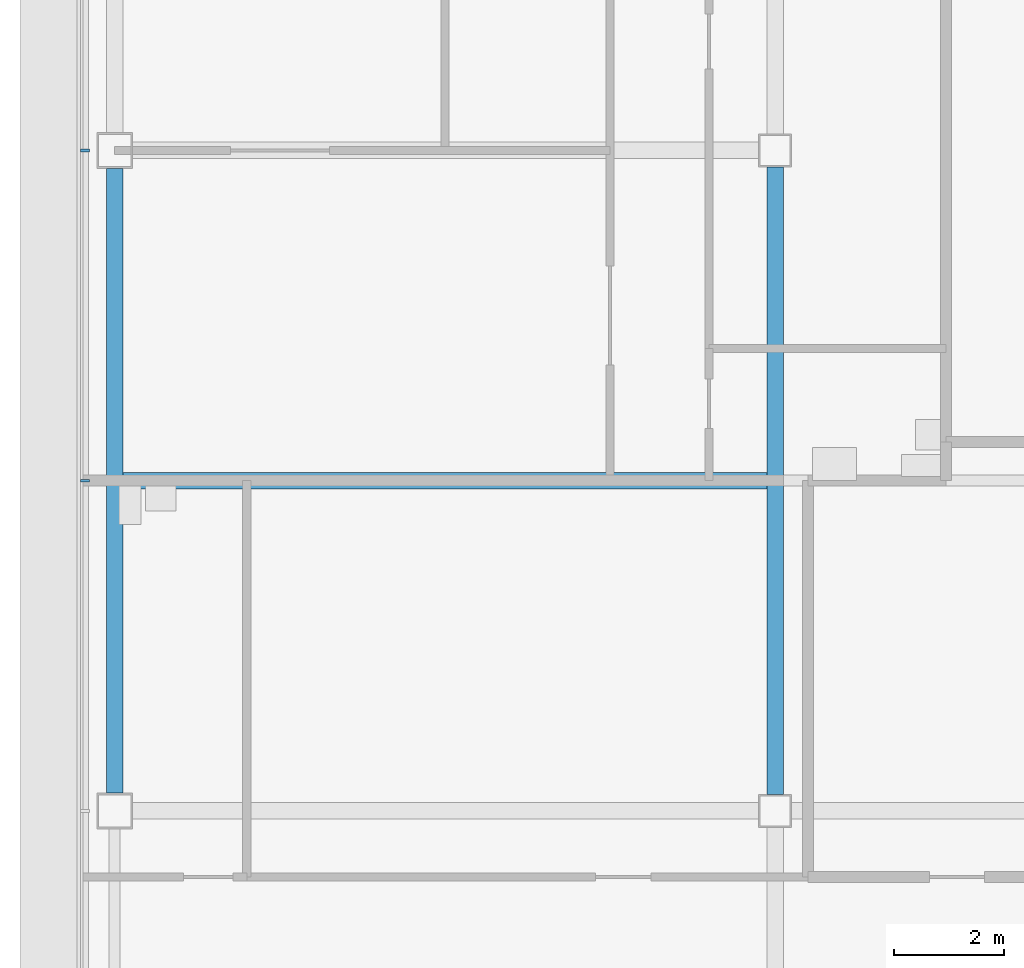
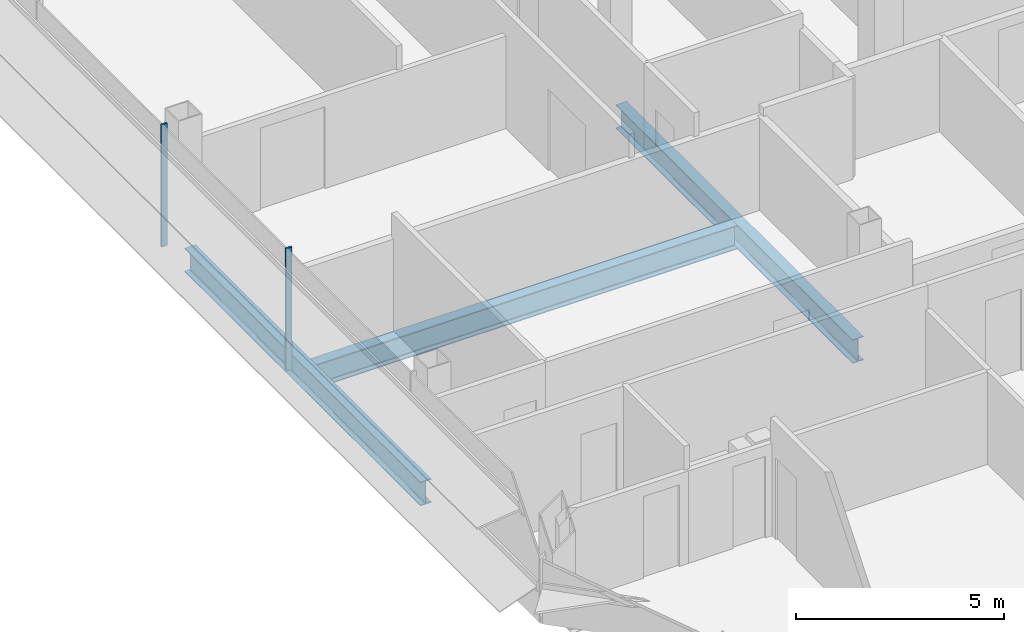
# One storey, part 4 of 26: 3 beams, 2 members, 1 element without a shape of its own.
"""IFC4 building model written with IfcOpenShell, lengths in metres."""

from ifc_helpers import new_model, si_unit, direction, frame, origin, origin_2d, place, context, subcontext, project, spatial, rectangle, i_section, extrude, material, material_profile, profile_set, type_object, element, aggregate, save


model = new_model("IFC4")

# Units and contexts
model_context = context("Model", 3, precision=1e-05, world=origin(), true_north=direction((0.0, 1.0)))
body_context = subcontext(model_context, "Body", "Model", "MODEL_VIEW")
ifc_project = project(units=[si_unit("LENGTHUNIT", "METRE"), si_unit("AREAUNIT", "SQUARE_METRE"), si_unit("VOLUMEUNIT", "CUBIC_METRE"), si_unit("PLANEANGLEUNIT", "RADIAN"), si_unit("MASSUNIT", "GRAM", prefix="KILO")], contexts=[model_context])

# Site, building, storey
site_placement = place(None, origin())
site = spatial("IfcSite", under=ifc_project, at=site_placement, CompositionType="ELEMENT")
building_placement = place(site_placement, origin())
building = spatial("IfcBuilding", under=site, at=building_placement, Name="Sorahane Residences", CompositionType="ELEMENT")
storey_placement = place(building_placement, frame((0.0, 0.0, 243.199951171875)))
storey = spatial("IfcBuildingStorey", under=building, at=storey_placement, Name="L57", CompositionType="ELEMENT", Elevation=243.199951171875)

# Curtain wall, members
ifc_material_1 = material(Name="Dark low-e glass and black anodised aluminium", Category="aluminium")
curtain_wall_type = type_object("IfcCurtainWallType", Name="Curtain wall CW-1 Typical unitised wall", PredefinedType="NOTDEFINED", material=ifc_material_1)
curtain_wall_placement = place(storey_placement, origin())
curtain_wall = element("IfcCurtainWall", 1, at=curtain_wall_placement, inside=storey, type_object=curtain_wall_type, Name="CW-1 curtain wall L57 W1", PredefinedType="NOTDEFINED")
ifc_material_2 = material(Name="Black anodised aluminium", Category="aluminium")
ifc_material_profile_1 = material_profile(ifc_material_2, rectangle(XDim=0.159912109375, YDim=0.050048828125, at=origin_2d()), Name="Curtain wall mullion CW-1 black anodised aluminium 50x160")
ifc_profile_set_1 = profile_set([ifc_material_profile_1], Name="Black anodised aluminium")
member_type = type_object("IfcMemberType", Name="Curtain wall mullion CW-1 black anodised aluminium 50x160", PredefinedType="MULLION", material=ifc_profile_set_1)
member_1_placement = place(storey_placement, frame((-12.5400390625, 24.0, -0.179931640625), z_axis=(0.0, 0.0, 1.0), x_axis=(-1.0, 0.0, 0.0)))
member_1 = element("IfcMember", 2, at=member_1_placement, type_object=member_type, Name="CW-1 mullion L57 W1.4", PredefinedType="MULLION", context=body_context, shape_type="SweptSolid", body=[
    extrude(rectangle(XDim=0.159912109375, YDim=0.050048828125, at=origin_2d()), origin(), (0.0, 0.0, 1.0), 3.60009765625),
])
member_2_placement = place(storey_placement, frame((-12.5400390625, 18.0, -0.179931640625), z_axis=(0.0, 0.0, 1.0), x_axis=(-1.0, 0.0, 0.0)))
member_2 = element("IfcMember", 3, at=member_2_placement, type_object=member_type, Name="CW-1 mullion L57 W1.5", PredefinedType="MULLION", context=body_context, shape_type="SweptSolid", body=[
    extrude(rectangle(XDim=0.159912109375, YDim=0.050048828125, at=origin_2d()), origin(), (0.0, 0.0, 1.0), 3.60009765625),
])
aggregate(curtain_wall, [member_1, member_2])

# Beams
ifc_material_3 = material(Name="Steel Q355B", Category="steel")
ifc_material_profile_2 = material_profile(ifc_material_3, i_section(OverallWidth=0.300048828125, OverallDepth=0.699951171875, WebThickness=0.012939453125, FlangeThickness=0.02392578125, FilletRadius=0.028076171875, at=origin_2d()), Name="HN 700x300x13x24")
ifc_profile_set_2 = profile_set([ifc_material_profile_2], Name="Steel Q355B")
beam_type = type_object("IfcBeamType", Name="Steel floor beam HN 700x300x13x24 Q355B", PredefinedType="BEAM", material=ifc_profile_set_2)
beam_1_placement = place(storey_placement, frame((-12.0, 12.324951171875, -0.530029296875), z_axis=(0.0, 1.0, 0.0), x_axis=(-1.0, 0.0, 0.0)))
element("IfcBeam", 4, at=beam_1_placement, inside=storey, type_object=beam_type, Name="Beam L57 021", PredefinedType="BEAM", context=body_context, shape_type="SweptSolid", body=[
    extrude(i_section(OverallWidth=0.300048828125, OverallDepth=0.699951171875, WebThickness=0.012939453125, FlangeThickness=0.02392578125, FilletRadius=0.028076171875, at=origin_2d()), origin(), (0.0, 0.0, 1.0), 11.35009765625),
])
beam_2_placement = place(storey_placement, frame((0.0, 12.300048828125, -0.530029296875), z_axis=(0.0, 1.0, 0.0), x_axis=(-1.0, 0.0, 0.0)))
element("IfcBeam", 5, at=beam_2_placement, inside=storey, type_object=beam_type, Name="Beam L57 025", PredefinedType="BEAM", context=body_context, shape_type="SweptSolid", body=[
    extrude(i_section(OverallWidth=0.300048828125, OverallDepth=0.699951171875, WebThickness=0.012939453125, FlangeThickness=0.02392578125, FilletRadius=0.028076171875, at=origin_2d()), origin(), (0.0, 0.0, 1.0), 11.39990234375),
])
beam_3_placement = place(storey_placement, frame((-11.85009765625, 18.0, -0.530029296875), z_axis=(1.0, 0.0, 0.0), x_axis=(0.0, 1.0, 0.0)))
element("IfcBeam", 6, at=beam_3_placement, inside=storey, type_object=beam_type, Name="Beam L57 078", PredefinedType="BEAM", context=body_context, shape_type="SweptSolid", body=[
    extrude(i_section(OverallWidth=0.300048828125, OverallDepth=0.699951171875, WebThickness=0.012939453125, FlangeThickness=0.02392578125, FilletRadius=0.028076171875, at=origin_2d()), origin(), (0.0, 0.0, 1.0), 11.7001953125),
])

save(model, "model.ifc")
